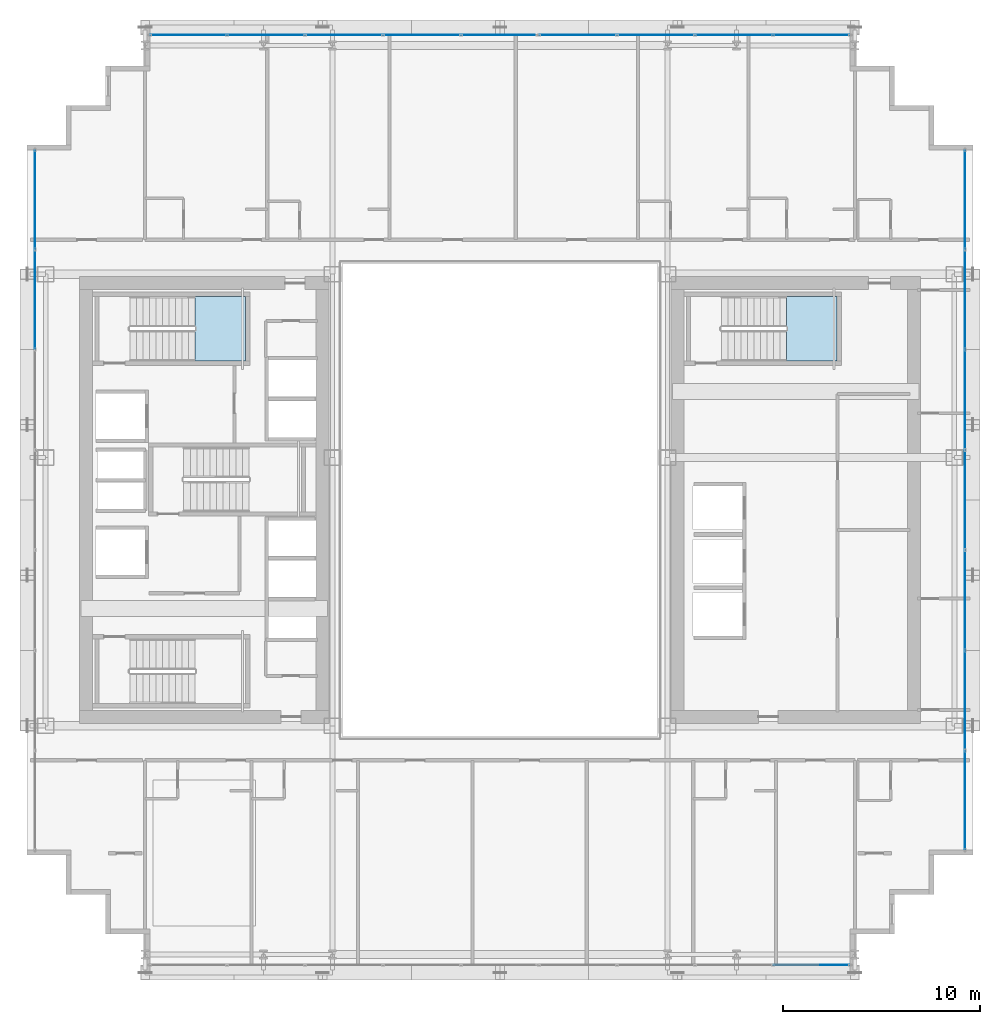
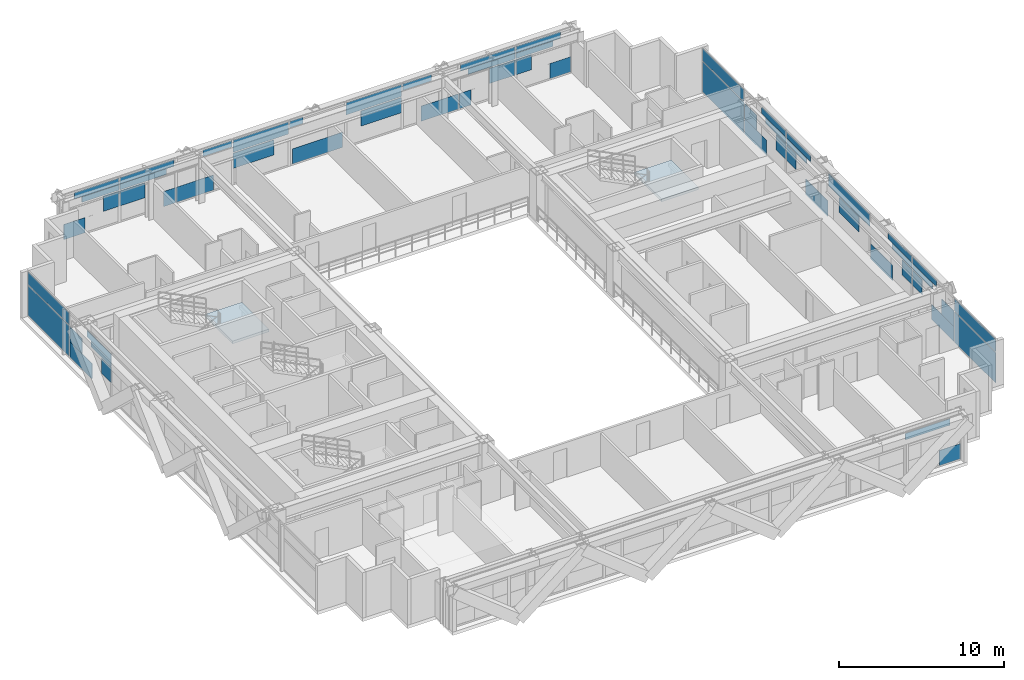
# One storey, part 24 of 35: 59 plates, 2 slabs, 6 elements without a shape of their own.
"""IFC4 building model written with IfcOpenShell, lengths in metres."""

from ifc_helpers import new_model, si_unit, direction, frame, origin, origin_2d, place, context, subcontext, project, spatial, polyline, rectangle, outline, extrude, source, transform, mapped, material, layer, layer_set, type_object, element, aggregate, save


model = new_model("IFC4")

# Units and contexts
model_context = context("Model", 3, precision=1e-05, world=origin(), true_north=direction((0.0, 1.0)))
body_context = subcontext(model_context, "Body", "Model", "MODEL_VIEW")
ifc_project = project(units=[si_unit("LENGTHUNIT", "METRE"), si_unit("AREAUNIT", "SQUARE_METRE"), si_unit("VOLUMEUNIT", "CUBIC_METRE"), si_unit("PLANEANGLEUNIT", "RADIAN"), si_unit("MASSUNIT", "GRAM", prefix="KILO")], contexts=[model_context])

# Site, building, storey
site_placement = place(None, origin())
site = spatial("IfcSite", under=ifc_project, at=site_placement, CompositionType="ELEMENT")
building_placement = place(site_placement, origin())
building = spatial("IfcBuilding", under=site, at=building_placement, Name="Ocotamira Hotel", CompositionType="ELEMENT")
storey_placement = place(building_placement, frame((0.0, 0.0, 122.39990234375)))
storey = spatial("IfcBuildingStorey", under=building, at=storey_placement, Name="L30", CompositionType="ELEMENT", Elevation=122.39990234375)

# Stair, slab
ifc_material_1 = material(Name="Concrete C40/50", Category="concrete")
stair_type = type_object("IfcStairType", Name="ST-CORE-1560", PredefinedType="HALF_TURN_STAIR", material=ifc_material_1)
stair_1_placement = place(storey_placement, origin())
stair_1 = element("IfcStair", 1, at=stair_1_placement, inside=storey, type_object=stair_type, Name="L30 Exit Stair ST-2", PredefinedType="HALF_TURN_STAIR")
ifc_layer_1 = layer(ifc_material_1, 0.199951171875)
ifc_layer_set_1 = layer_set([ifc_layer_1], Name="Concrete C40/50")
slab_type = type_object("IfcSlabType", Name="SLB-LAND-200", PredefinedType="LANDING", material=ifc_layer_set_1)
slab_1_placement = place(storey_placement, frame((0.0, 0.0, 1.60009765625)))
slab_1 = element("IfcSlab", 2, at=slab_1_placement, type_object=slab_type, Name="ST-2 landing 1", PredefinedType="LANDING", context=body_context, shape_type="SweptSolid", body=[
    extrude(outline(polyline([(16.530029296875, 33.050048828125), (19.090087890625, 33.050048828125), (19.090087890625, 36.330078125), (16.530029296875, 36.330078125), (16.530029296875, 33.050048828125)])), origin(), (0.0, 0.0, 1.0), 0.199951171875),
])
aggregate(stair_1, [slab_1])

stair_2_placement = place(storey_placement, origin())
stair_2 = element("IfcStair", 3, at=stair_2_placement, inside=storey, type_object=stair_type, Name="L30 Exit Stair ST-4", PredefinedType="HALF_TURN_STAIR")
slab_2_placement = place(storey_placement, frame((0.0, 0.0, 1.60009765625)))
slab_2 = element("IfcSlab", 4, at=slab_2_placement, type_object=slab_type, Name="ST-4 landing 1", PredefinedType="LANDING", context=body_context, shape_type="SweptSolid", body=[
    extrude(outline(polyline([(46.530029296875, 33.050048828125), (49.090087890625, 33.050048828125), (49.090087890625, 36.330078125), (46.530029296875, 36.330078125), (46.530029296875, 33.050048828125)])), origin(), (0.0, 0.0, 1.0), 0.199951171875),
])
aggregate(stair_2, [slab_2])

# Curtain wall, plate
ifc_material_2 = material(Name="Anodised pale-metal aluminium and solar glass", Category="aluminium")
ifc_layer_2 = layer(ifc_material_2, 0.179931640625)
ifc_layer_set_2 = layer_set([ifc_layer_2], Name="Anodised pale-metal aluminium and solar glass")
curtain_wall_type = type_object("IfcCurtainWallType", Name="CW-SYS3-Z2", PredefinedType="NOTDEFINED", material=ifc_layer_set_2)
curtain_wall_1_placement = place(storey_placement, origin())
curtain_wall_1 = element("IfcCurtainWall", 5, at=curtain_wall_1_placement, inside=storey, type_object=curtain_wall_type, Name="L30 Curtain Wall CW-3 CW-L30-W", PredefinedType="NOTDEFINED")
ifc_material_3 = material(Name="Double-silver low-E insulated solar glass", Category="glass")
ifc_layer_3 = layer(ifc_material_3, 0.031982421875)
ifc_layer_set_3 = layer_set([ifc_layer_3], Name="Double-silver low-E insulated solar glass")
plate_type = type_object("IfcPlateType", Name="CWP-VISION-32", PredefinedType="CURTAIN_PANEL", material=ifc_layer_set_3)
shared_shape_1 = source(origin(), body_context, "Body", "SweptSolid", [
    extrude(rectangle(XDim=4.9658203125, YDim=0.031982421875, at=origin_2d()), origin(), (0.0, 0.0, 1.0), 2.237548828125),
])
plate_1_placement = place(storey_placement, frame((8.419921875, 41.237060546875, 0.0751953125), z_axis=(0.0, 0.0, 1.0), x_axis=(0.0, 1.0, 0.0)))
plate_1 = element("IfcPlate", 6, at=plate_1_placement, type_object=plate_type, Name="CW-3 panel 7.1", PredefinedType="CURTAIN_PANEL", context=body_context, shape_type="MappedRepresentation", body=[
    mapped(shared_shape_1, transform((0.0, 0.0, 0.0), scale=1.0)),
])

# Curtain wall, plates
curtain_wall_2_placement = place(storey_placement, origin())
curtain_wall_2 = element("IfcCurtainWall", 7, at=curtain_wall_2_placement, inside=storey, type_object=curtain_wall_type, Name="L30 Curtain Wall CW-3 CW-L30-E", PredefinedType="NOTDEFINED")
plate_2_placement = place(storey_placement, frame((55.580078125, 10.762939453125, 0.0751953125), z_axis=(0.0, 0.0, 1.0), x_axis=(0.0, 1.0, 0.0)))
plate_2 = element("IfcPlate", 8, at=plate_2_placement, type_object=plate_type, Name="CW-3 panel 1.1", PredefinedType="CURTAIN_PANEL", context=body_context, shape_type="MappedRepresentation", body=[
    mapped(shared_shape_1, transform((0.0, 0.0, 0.0), scale=1.0)),
])
plate_3_placement = place(storey_placement, frame((55.580078125, 41.237060546875, 0.0751953125), z_axis=(0.0, 0.0, 1.0), x_axis=(0.0, 1.0, 0.0)))
plate_3 = element("IfcPlate", 9, at=plate_3_placement, type_object=plate_type, Name="CW-3 panel 7.1", PredefinedType="CURTAIN_PANEL", context=body_context, shape_type="MappedRepresentation", body=[
    mapped(shared_shape_1, transform((0.0, 0.0, 0.0), scale=1.0)),
])

curtain_wall_3_placement = place(storey_placement, origin())
curtain_wall_3 = element("IfcCurtainWall", 10, at=curtain_wall_3_placement, inside=storey, type_object=curtain_wall_type, Name="L30 Curtain Wall CW-3 CW-L30-N", PredefinedType="NOTDEFINED")
shared_shape_2 = source(origin(), body_context, "Body", "SweptSolid", [
    extrude(rectangle(XDim=3.87548828125, YDim=0.031982421875, at=origin_2d()), origin(), (0.0, 0.0, 1.0), 0.8974609375),
])
plate_4_placement = place(storey_placement, frame((28.04443359375, 49.580078125, 2.3876953125), z_axis=(0.0, 0.0, 1.0), x_axis=(1.0, 0.0, 0.0)))
plate_4 = element("IfcPlate", 11, at=plate_4_placement, type_object=plate_type, Name="CW-3 panel 4.2", PredefinedType="CURTAIN_PANEL", context=body_context, shape_type="MappedRepresentation", body=[
    mapped(shared_shape_2, transform((0.0, 0.0, 0.0), scale=1.0)),
])
plate_5_placement = place(storey_placement, frame((35.95556640625, 49.580078125, 2.3876953125), z_axis=(0.0, 0.0, 1.0), x_axis=(1.0, 0.0, 0.0)))
plate_5 = element("IfcPlate", 12, at=plate_5_placement, type_object=plate_type, Name="CW-3 panel 6.2", PredefinedType="CURTAIN_PANEL", context=body_context, shape_type="MappedRepresentation", body=[
    mapped(shared_shape_2, transform((0.0, 0.0, 0.0), scale=1.0)),
])

# Plate
shared_shape_3 = source(origin(), body_context, "Body", "SweptSolid", [
    extrude(rectangle(XDim=4.9658203125, YDim=0.031982421875, at=origin_2d()), origin(), (0.0, 0.0, 1.0), 0.8974609375),
])
plate_6_placement = place(storey_placement, frame((8.419921875, 41.237060546875, 2.3876953125), z_axis=(0.0, 0.0, 1.0), x_axis=(0.0, 1.0, 0.0)))
plate_6 = element("IfcPlate", 13, at=plate_6_placement, type_object=plate_type, Name="CW-3 panel 7.2", PredefinedType="CURTAIN_PANEL", context=body_context, shape_type="MappedRepresentation", body=[
    mapped(shared_shape_3, transform((0.0, 0.0, 0.0), scale=1.0)),
])

plate_7_placement = place(storey_placement, frame((55.580078125, 10.762939453125, 2.3876953125), z_axis=(0.0, 0.0, 1.0), x_axis=(0.0, 1.0, 0.0)))
plate_7 = element("IfcPlate", 14, at=plate_7_placement, type_object=plate_type, Name="CW-3 panel 1.2", PredefinedType="CURTAIN_PANEL", context=body_context, shape_type="MappedRepresentation", body=[
    mapped(shared_shape_3, transform((0.0, 0.0, 0.0), scale=1.0)),
])

plate_8_placement = place(storey_placement, frame((55.580078125, 41.237060546875, 2.3876953125), z_axis=(0.0, 0.0, 1.0), x_axis=(0.0, 1.0, 0.0)))
plate_8 = element("IfcPlate", 15, at=plate_8_placement, type_object=plate_type, Name="CW-3 panel 7.2", PredefinedType="CURTAIN_PANEL", context=body_context, shape_type="MappedRepresentation", body=[
    mapped(shared_shape_3, transform((0.0, 0.0, 0.0), scale=1.0)),
])

shared_shape_4 = source(origin(), body_context, "Body", "SweptSolid", [
    extrude(rectangle(XDim=2.404296875, YDim=0.031982421875, at=origin_2d()), origin(), (0.0, 0.0, 1.0), 1.118896484375),
])
plate_9_placement = place(storey_placement, frame((55.580078125, 26.0, 1.19384765625), z_axis=(0.0, 0.0, 1.0), x_axis=(0.0, 1.0, 0.0)))
plate_9 = element("IfcPlate", 16, at=plate_9_placement, type_object=plate_type, Name="CW-3 panel 4.1.1", PredefinedType="CURTAIN_PANEL", context=body_context, shape_type="MappedRepresentation", body=[
    mapped(shared_shape_4, transform((0.0, 0.0, 0.0), scale=1.0)),
])

# Curtain wall, plate
curtain_wall_4_placement = place(storey_placement, origin())
curtain_wall_4 = element("IfcCurtainWall", 17, at=curtain_wall_4_placement, inside=storey, type_object=curtain_wall_type, Name="L30 Curtain Wall CW-3 CW-L30-S1", PredefinedType="NOTDEFINED")
shared_shape_5 = source(origin(), body_context, "Body", "SweptSolid", [
    extrude(rectangle(XDim=1.47509765625, YDim=0.031982421875, at=origin_2d()), origin(), (0.0, 0.0, 1.0), 1.118896484375),
])
plate_10_placement = place(storey_placement, frame((48.982421875, 2.419921875, 0.0751953125), z_axis=(0.0, 0.0, 1.0), x_axis=(1.0, 0.0, 0.0)))
plate_10 = element("IfcPlate", 18, at=plate_10_placement, type_object=plate_type, Name="CW-3 panel 9.1.2", PredefinedType="CURTAIN_PANEL", context=body_context, shape_type="MappedRepresentation", body=[
    mapped(shared_shape_5, transform((0.0, 0.0, 0.0), scale=1.0)),
])

# Plate
plate_11_placement = place(storey_placement, frame((15.017578125, 49.580078125, 0.0751953125), z_axis=(0.0, 0.0, 1.0), x_axis=(1.0, 0.0, 0.0)))
plate_11 = element("IfcPlate", 19, at=plate_11_placement, type_object=plate_type, Name="CW-3 panel 1.1.1", PredefinedType="CURTAIN_PANEL", context=body_context, shape_type="MappedRepresentation", body=[
    mapped(shared_shape_5, transform((0.0, 0.0, 0.0), scale=1.0)),
])

plate_12_placement = place(storey_placement, frame((48.982421875, 49.580078125, 0.0751953125), z_axis=(0.0, 0.0, 1.0), x_axis=(1.0, 0.0, 0.0)))
plate_12 = element("IfcPlate", 20, at=plate_12_placement, type_object=plate_type, Name="CW-3 panel 9.1.2", PredefinedType="CURTAIN_PANEL", context=body_context, shape_type="MappedRepresentation", body=[
    mapped(shared_shape_5, transform((0.0, 0.0, 0.0), scale=1.0)),
])

shared_shape_6 = source(origin(), body_context, "Body", "SweptSolid", [
    extrude(rectangle(XDim=3.104248046875, YDim=0.031982421875, at=origin_2d()), origin(), (0.0, 0.0, 1.0), 0.4716796875),
])
plate_13_placement = place(storey_placement, frame((47.4365234375, 2.419921875, 2.8134765625), z_axis=(0.0, 0.0, 1.0), x_axis=(1.0, 0.0, 0.0)))
plate_13 = element("IfcPlate", 21, at=plate_13_placement, type_object=plate_type, Name="CW-3 panel 9.2.2", PredefinedType="CURTAIN_PANEL", context=body_context, shape_type="MappedRepresentation", body=[
    mapped(shared_shape_6, transform((0.0, 0.0, 0.0), scale=1.0)),
])

aggregate(curtain_wall_4, [plate_10, plate_13])

plate_14_placement = place(storey_placement, frame((16.5634765625, 49.580078125, 2.8134765625), z_axis=(0.0, 0.0, 1.0), x_axis=(1.0, 0.0, 0.0)))
plate_14 = element("IfcPlate", 22, at=plate_14_placement, type_object=plate_type, Name="CW-3 panel 1.2.1", PredefinedType="CURTAIN_PANEL", context=body_context, shape_type="MappedRepresentation", body=[
    mapped(shared_shape_6, transform((0.0, 0.0, 0.0), scale=1.0)),
])

plate_15_placement = place(storey_placement, frame((47.4365234375, 49.580078125, 2.8134765625), z_axis=(0.0, 0.0, 1.0), x_axis=(1.0, 0.0, 0.0)))
plate_15 = element("IfcPlate", 23, at=plate_15_placement, type_object=plate_type, Name="CW-3 panel 9.2.2", PredefinedType="CURTAIN_PANEL", context=body_context, shape_type="MappedRepresentation", body=[
    mapped(shared_shape_6, transform((0.0, 0.0, 0.0), scale=1.0)),
])

shared_shape_7 = source(origin(), body_context, "Body", "SweptSolid", [
    extrude(rectangle(XDim=2.572021484375, YDim=0.031982421875, at=origin_2d()), origin(), (0.0, 0.0, 1.0), 0.39453125),
])
plate_16_placement = place(storey_placement, frame((16.82958984375, 49.580078125, 2.3876953125), z_axis=(0.0, 0.0, 1.0), x_axis=(1.0, 0.0, 0.0)))
plate_16 = element("IfcPlate", 24, at=plate_16_placement, type_object=plate_type, Name="CW-3 panel 1.2.2", PredefinedType="CURTAIN_PANEL", context=body_context, shape_type="MappedRepresentation", body=[
    mapped(shared_shape_7, transform((0.0, 0.0, 0.0), scale=1.0)),
])

plate_17_placement = place(storey_placement, frame((47.17041015625, 49.580078125, 2.3876953125), z_axis=(0.0, 0.0, 1.0), x_axis=(1.0, 0.0, 0.0)))
plate_17 = element("IfcPlate", 25, at=plate_17_placement, type_object=plate_type, Name="CW-3 panel 9.2.1", PredefinedType="CURTAIN_PANEL", context=body_context, shape_type="MappedRepresentation", body=[
    mapped(shared_shape_7, transform((0.0, 0.0, 0.0), scale=1.0)),
])

shared_shape_8 = source(origin(), body_context, "Body", "SweptSolid", [
    extrude(rectangle(XDim=0.826171875, YDim=0.031982421875, at=origin_2d()), origin(), (0.0, 0.0, 1.0), 1.118896484375),
])
plate_18_placement = place(storey_placement, frame((21.658203125, 49.580078125, 0.0751953125), z_axis=(0.0, 0.0, 1.0), x_axis=(1.0, 0.0, 0.0)))
plate_18 = element("IfcPlate", 26, at=plate_18_placement, type_object=plate_type, Name="CW-3 panel 2.1.2", PredefinedType="CURTAIN_PANEL", context=body_context, shape_type="MappedRepresentation", body=[
    mapped(shared_shape_8, transform((0.0, 0.0, 0.0), scale=1.0)),
])

plate_19_placement = place(storey_placement, frame((42.341796875, 49.580078125, 0.0751953125), z_axis=(0.0, 0.0, 1.0), x_axis=(1.0, 0.0, 0.0)))
plate_19 = element("IfcPlate", 27, at=plate_19_placement, type_object=plate_type, Name="CW-3 panel 8.1.1", PredefinedType="CURTAIN_PANEL", context=body_context, shape_type="MappedRepresentation", body=[
    mapped(shared_shape_8, transform((0.0, 0.0, 0.0), scale=1.0)),
])

shared_shape_9 = source(origin(), body_context, "Body", "SweptSolid", [
    extrude(rectangle(XDim=3.260986328125, YDim=0.031982421875, at=origin_2d()), origin(), (0.0, 0.0, 1.0), 0.42578125),
])
plate_20_placement = place(storey_placement, frame((19.826171875, 49.580078125, 2.3876953125), z_axis=(0.0, 0.0, 1.0), x_axis=(1.0, 0.0, 0.0)))
plate_20 = element("IfcPlate", 28, at=plate_20_placement, type_object=plate_type, Name="CW-3 panel 2.2.1", PredefinedType="CURTAIN_PANEL", context=body_context, shape_type="MappedRepresentation", body=[
    mapped(shared_shape_9, transform((0.0, 0.0, 0.0), scale=1.0)),
])

plate_21_placement = place(storey_placement, frame((44.173828125, 49.580078125, 2.3876953125), z_axis=(0.0, 0.0, 1.0), x_axis=(1.0, 0.0, 0.0)))
plate_21 = element("IfcPlate", 29, at=plate_21_placement, type_object=plate_type, Name="CW-3 panel 8.2.2", PredefinedType="CURTAIN_PANEL", context=body_context, shape_type="MappedRepresentation", body=[
    mapped(shared_shape_9, transform((0.0, 0.0, 0.0), scale=1.0)),
])

shared_shape_10 = source(origin(), body_context, "Body", "SweptSolid", [
    extrude(rectangle(XDim=3.793212890625, YDim=0.031982421875, at=origin_2d()), origin(), (0.0, 0.0, 1.0), 0.4716796875),
])
plate_22_placement = place(storey_placement, frame((20.09228515625, 49.580078125, 2.8134765625), z_axis=(0.0, 0.0, 1.0), x_axis=(1.0, 0.0, 0.0)))
plate_22 = element("IfcPlate", 30, at=plate_22_placement, type_object=plate_type, Name="CW-3 panel 2.2.2", PredefinedType="CURTAIN_PANEL", context=body_context, shape_type="MappedRepresentation", body=[
    mapped(shared_shape_10, transform((0.0, 0.0, 0.0), scale=1.0)),
])

plate_23_placement = place(storey_placement, frame((43.90771484375, 49.580078125, 2.8134765625), z_axis=(0.0, 0.0, 1.0), x_axis=(1.0, 0.0, 0.0)))
plate_23 = element("IfcPlate", 31, at=plate_23_placement, type_object=plate_type, Name="CW-3 panel 8.2.1", PredefinedType="CURTAIN_PANEL", context=body_context, shape_type="MappedRepresentation", body=[
    mapped(shared_shape_10, transform((0.0, 0.0, 0.0), scale=1.0)),
])

shared_shape_11 = source(origin(), body_context, "Body", "SweptSolid", [
    extrude(rectangle(XDim=2.60400390625, YDim=0.031982421875, at=origin_2d()), origin(), (0.0, 0.0, 1.0), 1.118896484375),
])
plate_24_placement = place(storey_placement, frame((23.453125, 49.580078125, 0.0751953125), z_axis=(0.0, 0.0, 1.0), x_axis=(1.0, 0.0, 0.0)))
plate_24 = element("IfcPlate", 32, at=plate_24_placement, type_object=plate_type, Name="CW-3 panel 3.1.1", PredefinedType="CURTAIN_PANEL", context=body_context, shape_type="MappedRepresentation", body=[
    mapped(shared_shape_11, transform((0.0, 0.0, 0.0), scale=1.0)),
])

plate_25_placement = place(storey_placement, frame((40.546875, 49.580078125, 0.0751953125), z_axis=(0.0, 0.0, 1.0), x_axis=(1.0, 0.0, 0.0)))
plate_25 = element("IfcPlate", 33, at=plate_25_placement, type_object=plate_type, Name="CW-3 panel 7.1.1", PredefinedType="CURTAIN_PANEL", context=body_context, shape_type="MappedRepresentation", body=[
    mapped(shared_shape_11, transform((0.0, 0.0, 0.0), scale=1.0)),
])

shared_shape_12 = source(origin(), body_context, "Body", "SweptSolid", [
    extrude(rectangle(XDim=2.015380859375, YDim=0.031982421875, at=origin_2d()), origin(), (0.0, 0.0, 1.0), 0.4716796875),
])
plate_26_placement = place(storey_placement, frame((25.018798828125, 49.580078125, 2.8134765625), z_axis=(0.0, 0.0, 1.0), x_axis=(1.0, 0.0, 0.0)))
plate_26 = element("IfcPlate", 34, at=plate_26_placement, type_object=plate_type, Name="CW-3 panel 3.2.1", PredefinedType="CURTAIN_PANEL", context=body_context, shape_type="MappedRepresentation", body=[
    mapped(shared_shape_12, transform((0.0, 0.0, 0.0), scale=1.0)),
])

plate_27_placement = place(storey_placement, frame((38.981201171875, 49.580078125, 2.8134765625), z_axis=(0.0, 0.0, 1.0), x_axis=(1.0, 0.0, 0.0)))
plate_27 = element("IfcPlate", 35, at=plate_27_placement, type_object=plate_type, Name="CW-3 panel 7.2.1", PredefinedType="CURTAIN_PANEL", context=body_context, shape_type="MappedRepresentation", body=[
    mapped(shared_shape_12, transform((0.0, 0.0, 0.0), scale=1.0)),
])

shared_shape_13 = source(origin(), body_context, "Body", "SweptSolid", [
    extrude(rectangle(XDim=3.510009765625, YDim=0.031982421875, at=origin_2d()), origin(), (0.0, 0.0, 1.0), 1.118896484375),
])
plate_28_placement = place(storey_placement, frame((32.0, 49.580078125, 0.0751953125), z_axis=(0.0, 0.0, 1.0), x_axis=(1.0, 0.0, 0.0)))
plate_28 = element("IfcPlate", 36, at=plate_28_placement, type_object=plate_type, Name="CW-3 panel 5.1.1", PredefinedType="CURTAIN_PANEL", context=body_context, shape_type="MappedRepresentation", body=[
    mapped(shared_shape_13, transform((0.0, 0.0, 0.0), scale=1.0)),
])

shared_shape_14 = source(origin(), body_context, "Body", "SweptSolid", [
    extrude(rectangle(XDim=0.926513671875, YDim=0.031982421875, at=origin_2d()), origin(), (0.0, 0.0, 1.0), 0.4716796875),
])
plate_29_placement = place(storey_placement, frame((30.525390625, 49.580078125, 2.8134765625), z_axis=(0.0, 0.0, 1.0), x_axis=(1.0, 0.0, 0.0)))
plate_29 = element("IfcPlate", 37, at=plate_29_placement, type_object=plate_type, Name="CW-3 panel 5.2.1", PredefinedType="CURTAIN_PANEL", context=body_context, shape_type="MappedRepresentation", body=[
    mapped(shared_shape_14, transform((0.0, 0.0, 0.0), scale=1.0)),
])

shared_shape_15 = source(origin(), body_context, "Body", "SweptSolid", [
    extrude(rectangle(XDim=2.6728515625, YDim=0.031982421875, at=origin_2d()), origin(), (0.0, 0.0, 1.0), 1.118896484375),
])
plate_30_placement = place(storey_placement, frame((8.419921875, 37.337890625, 0.0751953125), z_axis=(0.0, 0.0, 1.0), x_axis=(0.0, 1.0, 0.0)))
plate_30 = element("IfcPlate", 38, at=plate_30_placement, type_object=plate_type, Name="CW-3 panel 6.1.2", PredefinedType="CURTAIN_PANEL", context=body_context, shape_type="MappedRepresentation", body=[
    mapped(shared_shape_15, transform((0.0, 0.0, 0.0), scale=1.0)),
])

plate_31_placement = place(storey_placement, frame((55.580078125, 14.662109375, 0.0751953125), z_axis=(0.0, 0.0, 1.0), x_axis=(0.0, 1.0, 0.0)))
plate_31 = element("IfcPlate", 39, at=plate_31_placement, type_object=plate_type, Name="CW-3 panel 2.1.1", PredefinedType="CURTAIN_PANEL", context=body_context, shape_type="MappedRepresentation", body=[
    mapped(shared_shape_15, transform((0.0, 0.0, 0.0), scale=1.0)),
])

plate_32_placement = place(storey_placement, frame((55.580078125, 37.337890625, 0.0751953125), z_axis=(0.0, 0.0, 1.0), x_axis=(0.0, 1.0, 0.0)))
plate_32 = element("IfcPlate", 40, at=plate_32_placement, type_object=plate_type, Name="CW-3 panel 6.1.2", PredefinedType="CURTAIN_PANEL", context=body_context, shape_type="MappedRepresentation", body=[
    mapped(shared_shape_15, transform((0.0, 0.0, 0.0), scale=1.0)),
])

shared_shape_16 = source(origin(), body_context, "Body", "SweptSolid", [
    extrude(rectangle(XDim=2.908203125, YDim=0.031982421875, at=origin_2d()), origin(), (0.0, 0.0, 1.0), 0.44873046875),
])
plate_33_placement = place(storey_placement, frame((8.419921875, 35.122802734375, 2.83642578125), z_axis=(0.0, 0.0, 1.0), x_axis=(0.0, 1.0, 0.0)))
plate_33 = element("IfcPlate", 41, at=plate_33_placement, type_object=plate_type, Name="CW-3 panel 6.2.2", PredefinedType="CURTAIN_PANEL", context=body_context, shape_type="MappedRepresentation", body=[
    mapped(shared_shape_16, transform((0.0, 0.0, 0.0), scale=1.0)),
])

plate_34_placement = place(storey_placement, frame((55.580078125, 16.877197265625, 2.83642578125), z_axis=(0.0, 0.0, 1.0), x_axis=(0.0, 1.0, 0.0)))
plate_34 = element("IfcPlate", 42, at=plate_34_placement, type_object=plate_type, Name="CW-3 panel 2.2.1", PredefinedType="CURTAIN_PANEL", context=body_context, shape_type="MappedRepresentation", body=[
    mapped(shared_shape_16, transform((0.0, 0.0, 0.0), scale=1.0)),
])

plate_35_placement = place(storey_placement, frame((55.580078125, 35.122802734375, 2.83642578125), z_axis=(0.0, 0.0, 1.0), x_axis=(0.0, 1.0, 0.0)))
plate_35 = element("IfcPlate", 43, at=plate_35_placement, type_object=plate_type, Name="CW-3 panel 6.2.2", PredefinedType="CURTAIN_PANEL", context=body_context, shape_type="MappedRepresentation", body=[
    mapped(shared_shape_16, transform((0.0, 0.0, 0.0), scale=1.0)),
])

shared_shape_17 = source(origin(), body_context, "Body", "SweptSolid", [
    extrude(rectangle(XDim=2.4326171875, YDim=0.031982421875, at=origin_2d()), origin(), (0.0, 0.0, 1.0), 0.414306640625),
])
plate_36_placement = place(storey_placement, frame((8.419921875, 34.884765625, 2.3876953125), z_axis=(0.0, 0.0, 1.0), x_axis=(0.0, 1.0, 0.0)))
plate_36 = element("IfcPlate", 44, at=plate_36_placement, type_object=plate_type, Name="CW-3 panel 6.2.1", PredefinedType="CURTAIN_PANEL", context=body_context, shape_type="MappedRepresentation", body=[
    mapped(shared_shape_17, transform((0.0, 0.0, 0.0), scale=1.0)),
])

plate_37_placement = place(storey_placement, frame((55.580078125, 17.115234375, 2.3876953125), z_axis=(0.0, 0.0, 1.0), x_axis=(0.0, 1.0, 0.0)))
plate_37 = element("IfcPlate", 45, at=plate_37_placement, type_object=plate_type, Name="CW-3 panel 2.2.2", PredefinedType="CURTAIN_PANEL", context=body_context, shape_type="MappedRepresentation", body=[
    mapped(shared_shape_17, transform((0.0, 0.0, 0.0), scale=1.0)),
])

plate_38_placement = place(storey_placement, frame((55.580078125, 34.884765625, 2.3876953125), z_axis=(0.0, 0.0, 1.0), x_axis=(0.0, 1.0, 0.0)))
plate_38 = element("IfcPlate", 46, at=plate_38_placement, type_object=plate_type, Name="CW-3 panel 6.2.1", PredefinedType="CURTAIN_PANEL", context=body_context, shape_type="MappedRepresentation", body=[
    mapped(shared_shape_17, transform((0.0, 0.0, 0.0), scale=1.0)),
])

shared_shape_18 = source(origin(), body_context, "Body", "SweptSolid", [
    extrude(rectangle(XDim=2.6826171875, YDim=0.031982421875, at=origin_2d()), origin(), (0.0, 0.0, 1.0), 1.118896484375),
])
plate_39_placement = place(storey_placement, frame((55.580078125, 22.075927734375, 0.0751953125), z_axis=(0.0, 0.0, 1.0), x_axis=(0.0, 1.0, 0.0)))
plate_39 = element("IfcPlate", 47, at=plate_39_placement, type_object=plate_type, Name="CW-3 panel 3.1.2", PredefinedType="CURTAIN_PANEL", context=body_context, shape_type="MappedRepresentation", body=[
    mapped(shared_shape_18, transform((0.0, 0.0, 0.0), scale=1.0)),
])

plate_40_placement = place(storey_placement, frame((55.580078125, 29.924072265625, 0.0751953125), z_axis=(0.0, 0.0, 1.0), x_axis=(0.0, 1.0, 0.0)))
plate_40 = element("IfcPlate", 48, at=plate_40_placement, type_object=plate_type, Name="CW-3 panel 5.1.1", PredefinedType="CURTAIN_PANEL", context=body_context, shape_type="MappedRepresentation", body=[
    mapped(shared_shape_18, transform((0.0, 0.0, 0.0), scale=1.0)),
])

shared_shape_19 = source(origin(), body_context, "Body", "SweptSolid", [
    extrude(rectangle(XDim=2.4228515625, YDim=0.031982421875, at=origin_2d()), origin(), (0.0, 0.0, 1.0), 0.414306640625),
])
plate_41_placement = place(storey_placement, frame((55.580078125, 19.622802734375, 2.3876953125), z_axis=(0.0, 0.0, 1.0), x_axis=(0.0, 1.0, 0.0)))
plate_41 = element("IfcPlate", 49, at=plate_41_placement, type_object=plate_type, Name="CW-3 panel 3.2.1", PredefinedType="CURTAIN_PANEL", context=body_context, shape_type="MappedRepresentation", body=[
    mapped(shared_shape_19, transform((0.0, 0.0, 0.0), scale=1.0)),
])

plate_42_placement = place(storey_placement, frame((55.580078125, 32.377197265625, 2.3876953125), z_axis=(0.0, 0.0, 1.0), x_axis=(0.0, 1.0, 0.0)))
plate_42 = element("IfcPlate", 50, at=plate_42_placement, type_object=plate_type, Name="CW-3 panel 5.2.2", PredefinedType="CURTAIN_PANEL", context=body_context, shape_type="MappedRepresentation", body=[
    mapped(shared_shape_19, transform((0.0, 0.0, 0.0), scale=1.0)),
])

shared_shape_20 = source(origin(), body_context, "Body", "SweptSolid", [
    extrude(rectangle(XDim=2.898681640625, YDim=0.031982421875, at=origin_2d()), origin(), (0.0, 0.0, 1.0), 0.44873046875),
])
plate_43_placement = place(storey_placement, frame((55.580078125, 19.860595703125, 2.83642578125), z_axis=(0.0, 0.0, 1.0), x_axis=(0.0, 1.0, 0.0)))
plate_43 = element("IfcPlate", 51, at=plate_43_placement, type_object=plate_type, Name="CW-3 panel 3.2.2", PredefinedType="CURTAIN_PANEL", context=body_context, shape_type="MappedRepresentation", body=[
    mapped(shared_shape_20, transform((0.0, 0.0, 0.0), scale=1.0)),
])

plate_44_placement = place(storey_placement, frame((55.580078125, 32.139404296875, 2.83642578125), z_axis=(0.0, 0.0, 1.0), x_axis=(0.0, 1.0, 0.0)))
plate_44 = element("IfcPlate", 52, at=plate_44_placement, type_object=plate_type, Name="CW-3 panel 5.2.1", PredefinedType="CURTAIN_PANEL", context=body_context, shape_type="MappedRepresentation", body=[
    mapped(shared_shape_20, transform((0.0, 0.0, 0.0), scale=1.0)),
])

shared_shape_21 = source(origin(), body_context, "Body", "SweptSolid", [
    extrude(rectangle(XDim=5.005615234375, YDim=0.031982421875, at=origin_2d()), origin(), (0.0, 0.0, 1.0), 0.8974609375),
])
plate_45_placement = place(storey_placement, frame((55.580078125, 26.0, 2.3876953125), z_axis=(0.0, 0.0, 1.0), x_axis=(0.0, 1.0, 0.0)))
plate_45 = element("IfcPlate", 53, at=plate_45_placement, type_object=plate_type, Name="CW-3 panel 4.2", PredefinedType="CURTAIN_PANEL", context=body_context, shape_type="MappedRepresentation", body=[
    mapped(shared_shape_21, transform((0.0, 0.0, 0.0), scale=1.0)),
])

shared_shape_22 = source(origin(), body_context, "Body", "SweptSolid", [
    extrude(rectangle(XDim=1.079833984375, YDim=0.031982421875, at=origin_2d()), origin(), (0.0, 0.0, 1.0), 1.118896484375),
])
plate_46_placement = place(storey_placement, frame((17.57568359375, 49.580078125, 1.19384765625), z_axis=(0.0, 0.0, 1.0), x_axis=(1.0, 0.0, 0.0)))
plate_46 = element("IfcPlate", 54, at=plate_46_placement, type_object=plate_type, Name="CW-3 panel 1.1.2", PredefinedType="CURTAIN_PANEL", context=body_context, shape_type="MappedRepresentation", body=[
    mapped(shared_shape_22, transform((0.0, 0.0, 0.0), scale=1.0)),
])

plate_47_placement = place(storey_placement, frame((46.42431640625, 49.580078125, 1.19384765625), z_axis=(0.0, 0.0, 1.0), x_axis=(1.0, 0.0, 0.0)))
plate_47 = element("IfcPlate", 55, at=plate_47_placement, type_object=plate_type, Name="CW-3 panel 9.1.1", PredefinedType="CURTAIN_PANEL", context=body_context, shape_type="MappedRepresentation", body=[
    mapped(shared_shape_22, transform((0.0, 0.0, 0.0), scale=1.0)),
])

shared_shape_23 = source(origin(), body_context, "Body", "SweptSolid", [
    extrude(rectangle(XDim=1.768798828125, YDim=0.031982421875, at=origin_2d()), origin(), (0.0, 0.0, 1.0), 1.118896484375),
])
plate_48_placement = place(storey_placement, frame((19.080078125, 49.580078125, 1.19384765625), z_axis=(0.0, 0.0, 1.0), x_axis=(1.0, 0.0, 0.0)))
plate_48 = element("IfcPlate", 56, at=plate_48_placement, type_object=plate_type, Name="CW-3 panel 2.1.1", PredefinedType="CURTAIN_PANEL", context=body_context, shape_type="MappedRepresentation", body=[
    mapped(shared_shape_23, transform((0.0, 0.0, 0.0), scale=1.0)),
])

plate_49_placement = place(storey_placement, frame((44.919921875, 49.580078125, 1.19384765625), z_axis=(0.0, 0.0, 1.0), x_axis=(1.0, 0.0, 0.0)))
plate_49 = element("IfcPlate", 57, at=plate_49_placement, type_object=plate_type, Name="CW-3 panel 8.1.2", PredefinedType="CURTAIN_PANEL", context=body_context, shape_type="MappedRepresentation", body=[
    mapped(shared_shape_23, transform((0.0, 0.0, 0.0), scale=1.0)),
])

shared_shape_24 = source(origin(), body_context, "Body", "SweptSolid", [
    extrude(rectangle(XDim=2.857666015625, YDim=0.031982421875, at=origin_2d()), origin(), (0.0, 0.0, 1.0), 1.118896484375),
])
plate_50_placement = place(storey_placement, frame((27.535400390625, 49.580078125, 1.19384765625), z_axis=(0.0, 0.0, 1.0), x_axis=(1.0, 0.0, 0.0)))
plate_50 = element("IfcPlate", 58, at=plate_50_placement, type_object=plate_type, Name="CW-3 panel 4.1.1", PredefinedType="CURTAIN_PANEL", context=body_context, shape_type="MappedRepresentation", body=[
    mapped(shared_shape_24, transform((0.0, 0.0, 0.0), scale=1.0)),
])

plate_51_placement = place(storey_placement, frame((36.464599609375, 49.580078125, 1.19384765625), z_axis=(0.0, 0.0, 1.0), x_axis=(1.0, 0.0, 0.0)))
plate_51 = element("IfcPlate", 59, at=plate_51_placement, type_object=plate_type, Name="CW-3 panel 6.1.1", PredefinedType="CURTAIN_PANEL", context=body_context, shape_type="MappedRepresentation", body=[
    mapped(shared_shape_24, transform((0.0, 0.0, 0.0), scale=1.0)),
])

aggregate(curtain_wall_3, [plate_11, plate_46, plate_14, plate_16, plate_48, plate_18, plate_20, plate_22, plate_24, plate_26, plate_50, plate_4, plate_28, plate_29, plate_51, plate_5, plate_25, plate_27, plate_19, plate_49, plate_23, plate_21, plate_47, plate_12, plate_17, plate_15])

shared_shape_25 = source(origin(), body_context, "Body", "SweptSolid", [
    extrude(rectangle(XDim=1.48681640625, YDim=0.031982421875, at=origin_2d()), origin(), (0.0, 0.0, 1.0), 1.118896484375),
])
plate_52_placement = place(storey_placement, frame((8.419921875, 37.930908203125, 1.19384765625), z_axis=(0.0, 0.0, 1.0), x_axis=(0.0, 1.0, 0.0)))
plate_52 = element("IfcPlate", 60, at=plate_52_placement, type_object=plate_type, Name="CW-3 panel 6.1.3", PredefinedType="CURTAIN_PANEL", context=body_context, shape_type="MappedRepresentation", body=[
    mapped(shared_shape_25, transform((0.0, 0.0, 0.0), scale=1.0)),
])

plate_53_placement = place(storey_placement, frame((55.580078125, 14.069091796875, 1.19384765625), z_axis=(0.0, 0.0, 1.0), x_axis=(0.0, 1.0, 0.0)))
plate_53 = element("IfcPlate", 61, at=plate_53_placement, type_object=plate_type, Name="CW-3 panel 2.1.2", PredefinedType="CURTAIN_PANEL", context=body_context, shape_type="MappedRepresentation", body=[
    mapped(shared_shape_25, transform((0.0, 0.0, 0.0), scale=1.0)),
])

plate_54_placement = place(storey_placement, frame((55.580078125, 37.930908203125, 1.19384765625), z_axis=(0.0, 0.0, 1.0), x_axis=(0.0, 1.0, 0.0)))
plate_54 = element("IfcPlate", 62, at=plate_54_placement, type_object=plate_type, Name="CW-3 panel 6.1.3", PredefinedType="CURTAIN_PANEL", context=body_context, shape_type="MappedRepresentation", body=[
    mapped(shared_shape_25, transform((0.0, 0.0, 0.0), scale=1.0)),
])

shared_shape_26 = source(origin(), body_context, "Body", "SweptSolid", [
    extrude(rectangle(XDim=1.1669921875, YDim=0.031982421875, at=origin_2d()), origin(), (0.0, 0.0, 1.0), 1.118896484375),
])
plate_55_placement = place(storey_placement, frame((8.419921875, 34.251953125, 1.19384765625), z_axis=(0.0, 0.0, 1.0), x_axis=(0.0, 1.0, 0.0)))
plate_55 = element("IfcPlate", 63, at=plate_55_placement, type_object=plate_type, Name="CW-3 panel 6.1.1", PredefinedType="CURTAIN_PANEL", context=body_context, shape_type="MappedRepresentation", body=[
    mapped(shared_shape_26, transform((0.0, 0.0, 0.0), scale=1.0)),
])

aggregate(curtain_wall_1, [plate_55, plate_30, plate_52, plate_36, plate_33, plate_1, plate_6])

plate_56_placement = place(storey_placement, frame((55.580078125, 17.748046875, 1.19384765625), z_axis=(0.0, 0.0, 1.0), x_axis=(0.0, 1.0, 0.0)))
plate_56 = element("IfcPlate", 64, at=plate_56_placement, type_object=plate_type, Name="CW-3 panel 2.1.3", PredefinedType="CURTAIN_PANEL", context=body_context, shape_type="MappedRepresentation", body=[
    mapped(shared_shape_26, transform((0.0, 0.0, 0.0), scale=1.0)),
])

plate_57_placement = place(storey_placement, frame((55.580078125, 34.251953125, 1.19384765625), z_axis=(0.0, 0.0, 1.0), x_axis=(0.0, 1.0, 0.0)))
plate_57 = element("IfcPlate", 65, at=plate_57_placement, type_object=plate_type, Name="CW-3 panel 6.1.1", PredefinedType="CURTAIN_PANEL", context=body_context, shape_type="MappedRepresentation", body=[
    mapped(shared_shape_26, transform((0.0, 0.0, 0.0), scale=1.0)),
])

shared_shape_27 = source(origin(), body_context, "Body", "SweptSolid", [
    extrude(rectangle(XDim=1.1572265625, YDim=0.031982421875, at=origin_2d()), origin(), (0.0, 0.0, 1.0), 1.118896484375),
])
plate_58_placement = place(storey_placement, frame((55.580078125, 18.989990234375, 1.19384765625), z_axis=(0.0, 0.0, 1.0), x_axis=(0.0, 1.0, 0.0)))
plate_58 = element("IfcPlate", 66, at=plate_58_placement, type_object=plate_type, Name="CW-3 panel 3.1.1", PredefinedType="CURTAIN_PANEL", context=body_context, shape_type="MappedRepresentation", body=[
    mapped(shared_shape_27, transform((0.0, 0.0, 0.0), scale=1.0)),
])

plate_59_placement = place(storey_placement, frame((55.580078125, 33.010009765625, 1.19384765625), z_axis=(0.0, 0.0, 1.0), x_axis=(0.0, 1.0, 0.0)))
plate_59 = element("IfcPlate", 67, at=plate_59_placement, type_object=plate_type, Name="CW-3 panel 5.1.2", PredefinedType="CURTAIN_PANEL", context=body_context, shape_type="MappedRepresentation", body=[
    mapped(shared_shape_27, transform((0.0, 0.0, 0.0), scale=1.0)),
])

aggregate(curtain_wall_2, [plate_2, plate_7, plate_31, plate_53, plate_56, plate_34, plate_37, plate_58, plate_39, plate_41, plate_43, plate_9, plate_45, plate_40, plate_59, plate_44, plate_42, plate_57, plate_32, plate_54, plate_38, plate_35, plate_3, plate_8])

save(model, "model.ifc")
